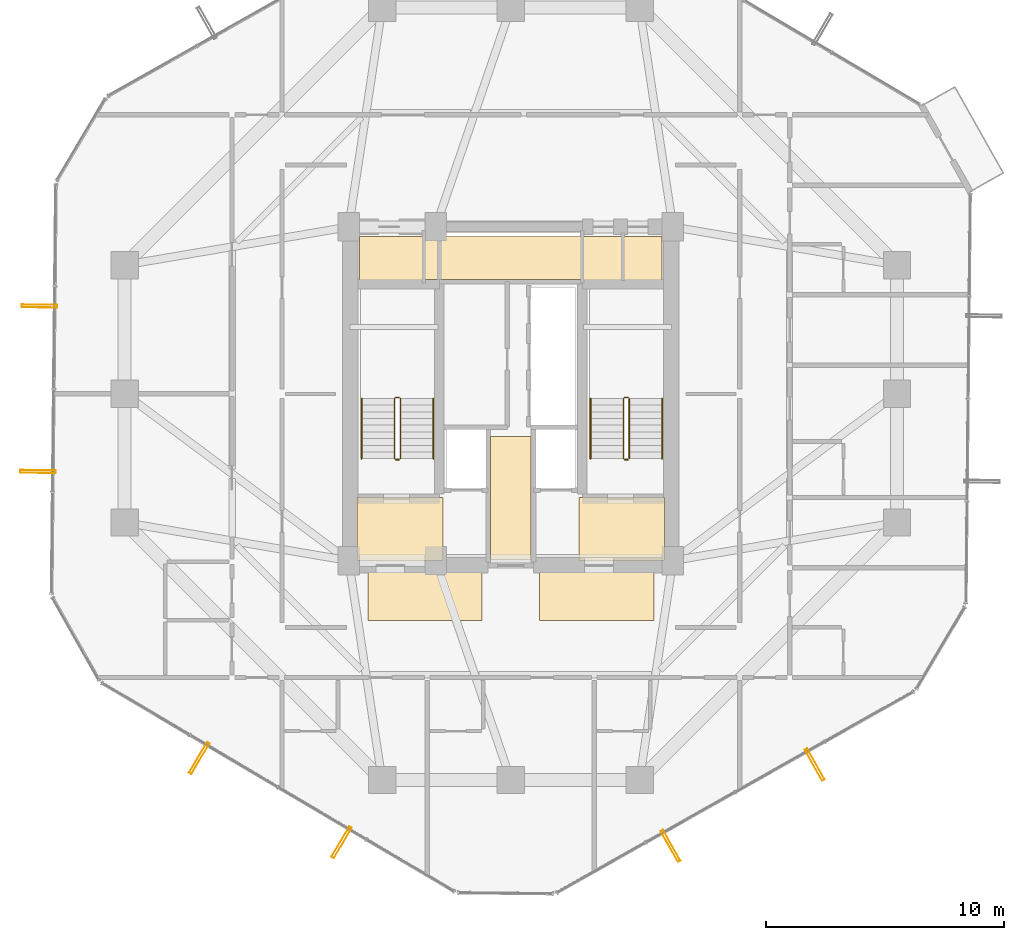
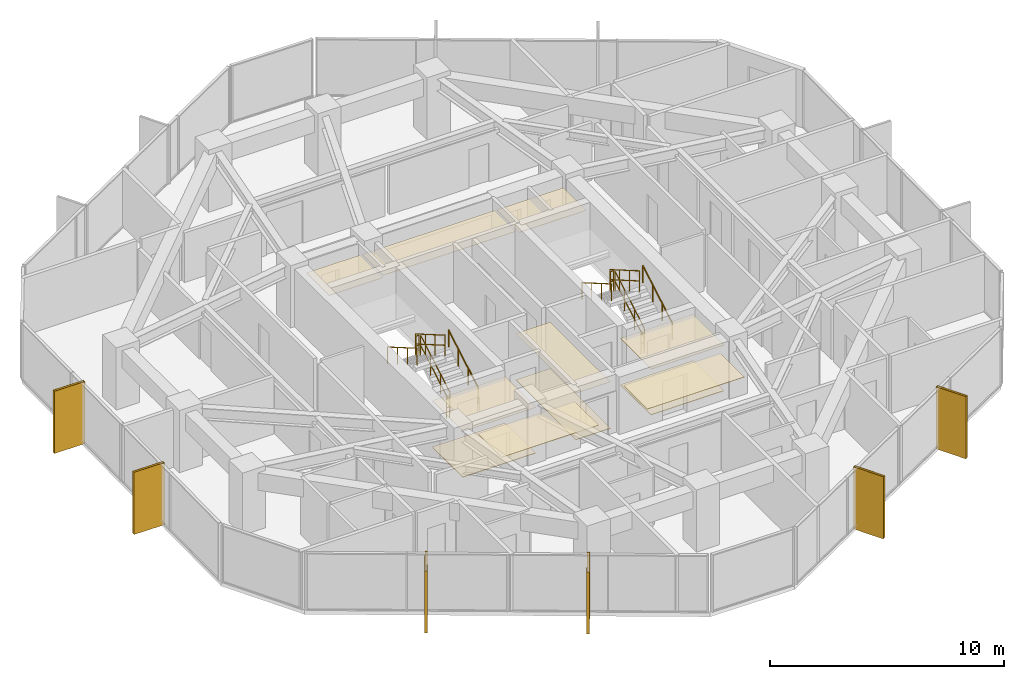
# One storey, part 29 of 30: 12 railings, 11 coverings, 6 shading devices.
"""IFC4 building model written with IfcOpenShell, lengths in metres."""

from ifc_helpers import new_model, si_unit, direction, frame, origin, origin_2d, place, context, subcontext, project, spatial, polyline, hollow_rectangle, circle, outline, extrude, material, layer, layer_set, material_profile, profile_set, type_object, element, save


model = new_model("IFC4")

# Units and contexts
model_context = context("Model", 3, precision=1e-05, world=origin(), true_north=direction((0.0, 1.0)))
body_context = subcontext(model_context, "Body", "Model", "MODEL_VIEW")
ifc_project = project(units=[si_unit("LENGTHUNIT", "METRE"), si_unit("AREAUNIT", "SQUARE_METRE"), si_unit("VOLUMEUNIT", "CUBIC_METRE"), si_unit("PLANEANGLEUNIT", "RADIAN"), si_unit("MASSUNIT", "GRAM", prefix="KILO")], contexts=[model_context])

# Site, building, storey
site_placement = place(None, origin())
site = spatial("IfcSite", under=ifc_project, at=site_placement, CompositionType="ELEMENT")
building_placement = place(site_placement, origin())
building = spatial("IfcBuilding", under=site, at=building_placement, Name="Veraguas Prism Commons", CompositionType="ELEMENT")
storey_placement = place(building_placement, frame((0.0, 0.0, 126.25)))
storey = spatial("IfcBuildingStorey", under=building, at=storey_placement, Name="L35", CompositionType="ELEMENT", Elevation=126.25)

# Shading devices
ifc_material_1 = material(Name="Anodised aluminium EN AW-6063 T6", Category="aluminium")
ifc_material_profile = material_profile(ifc_material_1, hollow_rectangle(XDim=0.1201171875, YDim=1.489990234375, WallThickness=0.006103515625, at=origin_2d()), Name="FIN120X1490X6")
ifc_profile_set = profile_set([ifc_material_profile], Name="Anodised aluminium EN AW-6063 T6")
shading_device_type = type_object("IfcShadingDeviceType", Name="Deep Pale-Metal Vertical Solar Fin 120x1490", PredefinedType="USERDEFINED", material=ifc_profile_set)
for number, where, z_axis, x_axis, name in (
    (1, (4.22998046875, 27.677978515625, -0.22998046875), (0.0, 0.0, 1.0), (-0.010475274583, -0.999945132806, 0.0), "Vertical Pale-Metal Solar Fin L35-F3A"),
    (2, (4.1572265625, 20.73681640625, -0.22998046875), (0.0, 0.0, 1.0), (-0.010475274583, -0.999945132806, 0.0), "Vertical Pale-Metal Solar Fin L35-F3B"),
    (3, (10.9296875, 8.7177734375, -0.22998046875), (0.0, 0.0, 1.0), (0.860742915448, -0.509039913471, 0.0), "Vertical Pale-Metal Solar Fin L35-F4A"),
    (4, (16.90478515625, 5.18408203125, -0.22998046875), (0.0, 0.0, 1.0), (0.860742915448, -0.509039913471, 0.0), "Vertical Pale-Metal Solar Fin L35-F4B"),
    (5, (30.69970703125, 5.03955078125, -0.22998046875), (0.0, 0.0, 1.0), (0.87121381112, 0.490903753615, 0.0), "Vertical Pale-Metal Solar Fin L35-F5A"),
    (6, (36.747314453125, 8.447265625, -0.22998046875), (0.0, 0.0, 1.0), (0.87121381112, 0.490903753615, 0.0), "Vertical Pale-Metal Solar Fin L35-F5B"),
):
    element("IfcShadingDevice", number, at=place(storey_placement, frame(where, z_axis=z_axis, x_axis=x_axis)), inside=storey, type_object=shading_device_type, Name=name, ObjectType="FIN", PredefinedType="USERDEFINED", context=body_context, shape_type="SweptSolid", body=[
        extrude(hollow_rectangle(XDim=0.1201171875, YDim=1.489990234375, WallThickness=0.006103515625, at=origin_2d()), origin(), (0.0, 0.0, 1.0), 3.25),
    ])

# Coverings
ifc_material_2 = material(Name="Acoustic gypsum board")
ifc_layer_1 = layer(ifc_material_2, 0.02490234375, Name="Perforated Acoustic Ceiling Tile 25")
ifc_layer_set_1 = layer_set([ifc_layer_1], Name="Acoustic gypsum board")
covering_type_1 = type_object("IfcCoveringType", Name="Perforated Acoustic Ceiling Tile 25", PredefinedType="USERDEFINED", material=ifc_layer_set_1)
covering_1_placement = place(storey_placement, frame((0.0, 0.0, 2.425048828125)))
element("IfcCovering", 7, at=covering_1_placement, inside=storey, type_object=covering_type_1, Name="East Lobby Acoustic Ceiling L35", ObjectType="ACOUSTIC CEILING", PredefinedType="USERDEFINED", context=body_context, shape_type="SweptSolid", body=[
    extrude(outline(polyline([(26.85009765625, 17.0), (30.449951171875, 17.0), (30.449951171875, 19.64990234375), (26.85009765625, 19.64990234375), (26.85009765625, 17.0)])), origin(), (0.0, 0.0, 1.0), 0.02490234375),
])
ifc_material_3 = material(Name="Terrazzo stone finish", Category="masonry")
ifc_layer_2 = layer(ifc_material_3, 0.030029296875, Name="Polished Terrazzo Floor Finish 30", Category="masonry")
ifc_layer_set_2 = layer_set([ifc_layer_2], Name="Terrazzo stone finish")
covering_type_2 = type_object("IfcCoveringType", Name="Polished Terrazzo Floor Finish 30", PredefinedType="FLOORING", material=ifc_layer_set_2)
covering_2_placement = place(storey_placement, origin())
element("IfcCovering", 8, at=covering_2_placement, inside=storey, type_object=covering_type_2, Name="Terrazzo Lobby Flooring L35", PredefinedType="FLOORING", context=body_context, shape_type="SweptSolid", body=[
    extrude(outline(polyline([(23.14990234375, 17.050048828125), (24.85009765625, 17.050048828125), (24.85009765625, 22.199951171875), (23.14990234375, 22.199951171875), (23.14990234375, 17.050048828125)])), origin(), (0.0, 0.0, 1.0), 0.030029296875),
])
covering_3_placement = place(storey_placement, origin())
element("IfcCovering", 9, at=covering_3_placement, inside=storey, type_object=covering_type_2, Name="West FF Lobby Terrazzo Flooring L35", PredefinedType="FLOORING", context=body_context, shape_type="SweptSolid", body=[
    extrude(outline(polyline([(17.550048828125, 17.050048828125), (21.14990234375, 17.050048828125), (21.14990234375, 19.64990234375), (17.550048828125, 19.64990234375), (17.550048828125, 17.050048828125)])), origin(), (0.0, 0.0, 1.0), 0.030029296875),
])
covering_4_placement = place(storey_placement, origin())
element("IfcCovering", 10, at=covering_4_placement, inside=storey, type_object=covering_type_2, Name="East FF Lobby Terrazzo Flooring L35", PredefinedType="FLOORING", context=body_context, shape_type="SweptSolid", body=[
    extrude(outline(polyline([(26.85009765625, 17.050048828125), (30.449951171875, 17.050048828125), (30.449951171875, 19.64990234375), (26.85009765625, 19.64990234375), (26.85009765625, 17.050048828125)])), origin(), (0.0, 0.0, 1.0), 0.030029296875),
])

# Railings
ifc_material_4 = material(Name="Stainless steel AISI 316", Category="steel")
railing_type_1 = type_object("IfcRailingType", Name="Stair and Ramp Stainless Handrail 900", PredefinedType="HANDRAIL", material=ifc_material_4)
railing_1_placement = place(storey_placement, frame((20.75, 21.280029296875, 0.16259765625)))
element("IfcRailing", 11, at=railing_1_placement, inside=storey, type_object=railing_type_1, Name="Stair Handrail ST-01 L35-1", PredefinedType="HANDRAIL", context=body_context, shape_type="SweptSolid", body=[
    extrude(circle(Radius=0.02392578125, at=origin_2d()), frame((0.0, 0.0, 0.8759765625), z_axis=(0.0, 0.864913338283, 0.50192122615), x_axis=(-1.0, 0.0, 0.0)), (0.0, 0.0, 1.0), 2.91357421875),
    extrude(circle(Radius=0.02099609375, at=origin_2d()), origin(), (0.0, 0.0, 1.0), 0.851806640625),
    extrude(circle(Radius=0.02099609375, at=origin_2d()), frame((0.0, 0.840087890625, 0.487548828125)), (0.0, 0.0, 1.0), 0.851806640625),
    extrude(circle(Radius=0.02099609375, at=origin_2d()), frame((0.0, 1.679931640625, 0.974853515625)), (0.0, 0.0, 1.0), 0.851806640625),
    extrude(circle(Radius=0.02099609375, at=origin_2d()), frame((0.0, 2.52001953125, 1.46240234375)), (0.0, 0.0, 1.0), 0.851806640625),
])
railing_2_placement = place(storey_placement, frame((17.739990234375, 23.800048828125, 1.78759765625)))
element("IfcRailing", 12, at=railing_2_placement, inside=storey, type_object=railing_type_1, Name="Stair Handrail ST-01 L35-2", PredefinedType="HANDRAIL", context=body_context, shape_type="SweptSolid", body=[
    extrude(circle(Radius=0.02392578125, at=origin_2d()), frame((0.0, 0.0, 0.8759765625), z_axis=(0.0, -0.864913338283, 0.50192122615), x_axis=(1.0, 0.0, 0.0)), (0.0, 0.0, 1.0), 2.91357421875),
    extrude(circle(Radius=0.02099609375, at=origin_2d()), origin(), (0.0, 0.0, 1.0), 0.851806640625),
    extrude(circle(Radius=0.02099609375, at=origin_2d()), frame((0.0, -0.840087890625, 0.487548828125)), (0.0, 0.0, 1.0), 0.851806640625),
    extrude(circle(Radius=0.02099609375, at=origin_2d()), frame((0.0, -1.679931640625, 0.974853515625)), (0.0, 0.0, 1.0), 0.851806640625),
    extrude(circle(Radius=0.02099609375, at=origin_2d()), frame((0.0, -2.52001953125, 1.46240234375)), (0.0, 0.0, 1.0), 0.851806640625),
])
railing_3_placement = place(storey_placement, frame((30.35009765625, 21.280029296875, 0.16259765625)))
element("IfcRailing", 13, at=railing_3_placement, inside=storey, type_object=railing_type_1, Name="Stair Handrail ST-02 L35-1", PredefinedType="HANDRAIL", context=body_context, shape_type="SweptSolid", body=[
    extrude(circle(Radius=0.02392578125, at=origin_2d()), frame((0.0, 0.0, 0.8759765625), z_axis=(0.0, 0.864913338283, 0.50192122615), x_axis=(-1.0, 0.0, 0.0)), (0.0, 0.0, 1.0), 2.91357421875),
    extrude(circle(Radius=0.02099609375, at=origin_2d()), origin(), (0.0, 0.0, 1.0), 0.851806640625),
    extrude(circle(Radius=0.02099609375, at=origin_2d()), frame((0.0, 0.840087890625, 0.487548828125)), (0.0, 0.0, 1.0), 0.851806640625),
    extrude(circle(Radius=0.02099609375, at=origin_2d()), frame((0.0, 1.679931640625, 0.974853515625)), (0.0, 0.0, 1.0), 0.851806640625),
    extrude(circle(Radius=0.02099609375, at=origin_2d()), frame((0.0, 2.52001953125, 1.46240234375)), (0.0, 0.0, 1.0), 0.851806640625),
])
railing_4_placement = place(storey_placement, frame((27.340087890625, 23.800048828125, 1.78759765625)))
element("IfcRailing", 14, at=railing_4_placement, inside=storey, type_object=railing_type_1, Name="Stair Handrail ST-02 L35-2", PredefinedType="HANDRAIL", context=body_context, shape_type="SweptSolid", body=[
    extrude(circle(Radius=0.02392578125, at=origin_2d()), frame((0.0, 0.0, 0.8759765625), z_axis=(0.0, -0.864913338283, 0.50192122615), x_axis=(1.0, 0.0, 0.0)), (0.0, 0.0, 1.0), 2.91357421875),
    extrude(circle(Radius=0.02099609375, at=origin_2d()), origin(), (0.0, 0.0, 1.0), 0.851806640625),
    extrude(circle(Radius=0.02099609375, at=origin_2d()), frame((0.0, -0.840087890625, 0.487548828125)), (0.0, 0.0, 1.0), 0.851806640625),
    extrude(circle(Radius=0.02099609375, at=origin_2d()), frame((0.0, -1.679931640625, 0.974853515625)), (0.0, 0.0, 1.0), 0.851806640625),
    extrude(circle(Radius=0.02099609375, at=origin_2d()), frame((0.0, -2.52001953125, 1.46240234375)), (0.0, 0.0, 1.0), 0.851806640625),
])
railing_type_2 = type_object("IfcRailingType", Name="Stairwell Safety Guardrail 1100", PredefinedType="GUARDRAIL", material=ifc_material_4)
railing_5_placement = place(storey_placement, frame((19.3701171875, 21.280029296875, 0.16259765625)))
element("IfcRailing", 15, at=railing_5_placement, inside=storey, type_object=railing_type_2, Name="Stair Guard ST-01 L35-1", PredefinedType="GUARDRAIL", context=body_context, shape_type="SweptSolid", body=[
    extrude(circle(Radius=0.02392578125, at=origin_2d()), frame((0.0, 0.0, 1.076171875), z_axis=(0.0, 0.864913338283, 0.50192122615), x_axis=(-1.0, 0.0, 0.0)), (0.0, 0.0, 1.0), 2.91357421875),
    extrude(circle(Radius=0.02392578125, at=origin_2d()), frame((0.0, 0.0, 0.550048828125), z_axis=(0.0, 0.864913338283, 0.50192122615), x_axis=(-1.0, 0.0, 0.0)), (0.0, 0.0, 1.0), 2.91357421875),
    extrude(circle(Radius=0.02099609375, at=origin_2d()), origin(), (0.0, 0.0, 1.0), 1.052001953125),
    extrude(circle(Radius=0.02099609375, at=origin_2d()), frame((0.0, 0.840087890625, 0.487548828125)), (0.0, 0.0, 1.0), 1.052001953125),
    extrude(circle(Radius=0.02099609375, at=origin_2d()), frame((0.0, 1.679931640625, 0.974853515625)), (0.0, 0.0, 1.0), 1.052001953125),
    extrude(circle(Radius=0.02099609375, at=origin_2d()), frame((0.0, 2.52001953125, 1.46240234375)), (0.0, 0.0, 1.0), 1.052001953125),
])
railing_6_placement = place(storey_placement, frame((19.320068359375, 23.85009765625, 1.625)))
element("IfcRailing", 16, at=railing_6_placement, inside=storey, type_object=railing_type_2, Name="Stair Guard ST-01 L35-2", PredefinedType="GUARDRAIL", context=body_context, shape_type="SweptSolid", body=[
    extrude(circle(Radius=0.02392578125, at=origin_2d()), frame((0.0, 0.0, 1.076171875), z_axis=(-1.0, 0.0, 0.0), x_axis=(0.0, -1.0, 0.0)), (0.0, 0.0, 1.0), 0.150146484375),
    extrude(circle(Radius=0.02392578125, at=origin_2d()), frame((0.0, 0.0, 0.550048828125), z_axis=(-1.0, 0.0, 0.0), x_axis=(0.0, -1.0, 0.0)), (0.0, 0.0, 1.0), 0.150146484375),
    extrude(circle(Radius=0.02099609375, at=origin_2d()), origin(), (0.0, 0.0, 1.0), 1.052001953125),
    extrude(circle(Radius=0.02099609375, at=origin_2d()), frame((-0.150146484375, 0.0, 0.0)), (0.0, 0.0, 1.0), 1.052001953125),
])
railing_7_placement = place(storey_placement, frame((19.1201171875, 23.800048828125, 1.78759765625)))
element("IfcRailing", 17, at=railing_7_placement, inside=storey, type_object=railing_type_2, Name="Stair Guard ST-01 L35-3", PredefinedType="GUARDRAIL", context=body_context, shape_type="SweptSolid", body=[
    extrude(circle(Radius=0.02392578125, at=origin_2d()), frame((0.0, 0.0, 1.076171875), z_axis=(0.0, -0.864913338283, 0.50192122615), x_axis=(1.0, 0.0, 0.0)), (0.0, 0.0, 1.0), 2.91357421875),
    extrude(circle(Radius=0.02392578125, at=origin_2d()), frame((0.0, 0.0, 0.550048828125), z_axis=(0.0, -0.864913338283, 0.50192122615), x_axis=(1.0, 0.0, 0.0)), (0.0, 0.0, 1.0), 2.91357421875),
    extrude(circle(Radius=0.02099609375, at=origin_2d()), origin(), (0.0, 0.0, 1.0), 1.052001953125),
    extrude(circle(Radius=0.02099609375, at=origin_2d()), frame((0.0, -0.840087890625, 0.487548828125)), (0.0, 0.0, 1.0), 1.052001953125),
    extrude(circle(Radius=0.02099609375, at=origin_2d()), frame((0.0, -1.679931640625, 0.974853515625)), (0.0, 0.0, 1.0), 1.052001953125),
    extrude(circle(Radius=0.02099609375, at=origin_2d()), frame((0.0, -2.52001953125, 1.46240234375)), (0.0, 0.0, 1.0), 1.052001953125),
])
railing_8_placement = place(storey_placement, frame((19.320068359375, 21.22998046875, 0.0)))
element("IfcRailing", 18, at=railing_8_placement, inside=storey, type_object=railing_type_2, Name="Stair Guard ST-01 L35-4", PredefinedType="GUARDRAIL", context=body_context, shape_type="SweptSolid", body=[
    extrude(circle(Radius=0.02392578125, at=origin_2d()), frame((0.0, 0.0, 1.076171875), z_axis=(-1.0, 0.0, 0.0), x_axis=(0.0, -1.0, 0.0)), (0.0, 0.0, 1.0), 0.150146484375),
    extrude(circle(Radius=0.02392578125, at=origin_2d()), frame((0.0, 0.0, 0.550048828125), z_axis=(-1.0, 0.0, 0.0), x_axis=(0.0, -1.0, 0.0)), (0.0, 0.0, 1.0), 0.150146484375),
    extrude(circle(Radius=0.02099609375, at=origin_2d()), origin(), (0.0, 0.0, 1.0), 1.052001953125),
    extrude(circle(Radius=0.02099609375, at=origin_2d()), frame((-0.150146484375, 0.0, 0.0)), (0.0, 0.0, 1.0), 1.052001953125),
])
railing_9_placement = place(storey_placement, frame((28.969970703125, 21.280029296875, 0.16259765625)))
element("IfcRailing", 19, at=railing_9_placement, inside=storey, type_object=railing_type_2, Name="Stair Guard ST-02 L35-1", PredefinedType="GUARDRAIL", context=body_context, shape_type="SweptSolid", body=[
    extrude(circle(Radius=0.02392578125, at=origin_2d()), frame((0.0, 0.0, 1.076171875), z_axis=(0.0, 0.864913338283, 0.50192122615), x_axis=(-1.0, 0.0, 0.0)), (0.0, 0.0, 1.0), 2.91357421875),
    extrude(circle(Radius=0.02392578125, at=origin_2d()), frame((0.0, 0.0, 0.550048828125), z_axis=(0.0, 0.864913338283, 0.50192122615), x_axis=(-1.0, 0.0, 0.0)), (0.0, 0.0, 1.0), 2.91357421875),
    extrude(circle(Radius=0.02099609375, at=origin_2d()), origin(), (0.0, 0.0, 1.0), 1.052001953125),
    extrude(circle(Radius=0.02099609375, at=origin_2d()), frame((0.0, 0.840087890625, 0.487548828125)), (0.0, 0.0, 1.0), 1.052001953125),
    extrude(circle(Radius=0.02099609375, at=origin_2d()), frame((0.0, 1.679931640625, 0.974853515625)), (0.0, 0.0, 1.0), 1.052001953125),
    extrude(circle(Radius=0.02099609375, at=origin_2d()), frame((0.0, 2.52001953125, 1.46240234375)), (0.0, 0.0, 1.0), 1.052001953125),
])
railing_10_placement = place(storey_placement, frame((28.919921875, 23.85009765625, 1.625)))
element("IfcRailing", 20, at=railing_10_placement, inside=storey, type_object=railing_type_2, Name="Stair Guard ST-02 L35-2", PredefinedType="GUARDRAIL", context=body_context, shape_type="SweptSolid", body=[
    extrude(circle(Radius=0.02392578125, at=origin_2d()), frame((0.0, 0.0, 1.076171875), z_axis=(-1.0, 0.0, 0.0), x_axis=(0.0, -1.0, 0.0)), (0.0, 0.0, 1.0), 0.14990234375),
    extrude(circle(Radius=0.02392578125, at=origin_2d()), frame((0.0, 0.0, 0.550048828125), z_axis=(-1.0, 0.0, 0.0), x_axis=(0.0, -1.0, 0.0)), (0.0, 0.0, 1.0), 0.14990234375),
    extrude(circle(Radius=0.02099609375, at=origin_2d()), origin(), (0.0, 0.0, 1.0), 1.052001953125),
    extrude(circle(Radius=0.02099609375, at=origin_2d()), frame((-0.14990234375, 0.0, 0.0)), (0.0, 0.0, 1.0), 1.052001953125),
])
railing_11_placement = place(storey_placement, frame((28.719970703125, 23.800048828125, 1.78759765625)))
element("IfcRailing", 21, at=railing_11_placement, inside=storey, type_object=railing_type_2, Name="Stair Guard ST-02 L35-3", PredefinedType="GUARDRAIL", context=body_context, shape_type="SweptSolid", body=[
    extrude(circle(Radius=0.02392578125, at=origin_2d()), frame((0.0, 0.0, 1.076171875), z_axis=(0.0, -0.864913338283, 0.50192122615), x_axis=(1.0, 0.0, 0.0)), (0.0, 0.0, 1.0), 2.91357421875),
    extrude(circle(Radius=0.02392578125, at=origin_2d()), frame((0.0, 0.0, 0.550048828125), z_axis=(0.0, -0.864913338283, 0.50192122615), x_axis=(1.0, 0.0, 0.0)), (0.0, 0.0, 1.0), 2.91357421875),
    extrude(circle(Radius=0.02099609375, at=origin_2d()), origin(), (0.0, 0.0, 1.0), 1.052001953125),
    extrude(circle(Radius=0.02099609375, at=origin_2d()), frame((0.0, -0.840087890625, 0.487548828125)), (0.0, 0.0, 1.0), 1.052001953125),
    extrude(circle(Radius=0.02099609375, at=origin_2d()), frame((0.0, -1.679931640625, 0.974853515625)), (0.0, 0.0, 1.0), 1.052001953125),
    extrude(circle(Radius=0.02099609375, at=origin_2d()), frame((0.0, -2.52001953125, 1.46240234375)), (0.0, 0.0, 1.0), 1.052001953125),
])
railing_12_placement = place(storey_placement, frame((28.919921875, 21.22998046875, 0.0)))
element("IfcRailing", 22, at=railing_12_placement, inside=storey, type_object=railing_type_2, Name="Stair Guard ST-02 L35-4", PredefinedType="GUARDRAIL", context=body_context, shape_type="SweptSolid", body=[
    extrude(circle(Radius=0.02392578125, at=origin_2d()), frame((0.0, 0.0, 1.076171875), z_axis=(-1.0, 0.0, 0.0), x_axis=(0.0, -1.0, 0.0)), (0.0, 0.0, 1.0), 0.14990234375),
    extrude(circle(Radius=0.02392578125, at=origin_2d()), frame((0.0, 0.0, 0.550048828125), z_axis=(-1.0, 0.0, 0.0), x_axis=(0.0, -1.0, 0.0)), (0.0, 0.0, 1.0), 0.14990234375),
    extrude(circle(Radius=0.02099609375, at=origin_2d()), origin(), (0.0, 0.0, 1.0), 1.052001953125),
    extrude(circle(Radius=0.02099609375, at=origin_2d()), frame((-0.14990234375, 0.0, 0.0)), (0.0, 0.0, 1.0), 1.052001953125),
])

# Coverings
ifc_layer_3 = layer(ifc_material_2, 0.02001953125, Name="Suspended Gypsum Ceiling 20")
ifc_layer_set_3 = layer_set([ifc_layer_3], Name="Acoustic gypsum board")
covering_type_3 = type_object("IfcCoveringType", Name="Suspended Gypsum Ceiling 20", PredefinedType="CEILING", material=ifc_layer_set_3)
covering_5_placement = place(storey_placement, frame((0.0, 0.0, 2.429931640625)))
element("IfcCovering", 23, at=covering_5_placement, inside=storey, type_object=covering_type_3, Name="West Lobby Suspended Gypsum Ceiling L35", PredefinedType="CEILING", context=body_context, shape_type="SweptSolid", body=[
    extrude(outline(polyline([(17.550048828125, 17.0), (21.14990234375, 17.0), (21.14990234375, 19.64990234375), (17.550048828125, 19.64990234375), (17.550048828125, 17.0)])), origin(), (0.0, 0.0, 1.0), 0.02001953125),
])
covering_6_placement = place(storey_placement, frame((0.0, 0.0, 2.429931640625)))
element("IfcCovering", 24, at=covering_6_placement, inside=storey, type_object=covering_type_3, Name="Core Lobby Acoustic Ceiling L35-1", PredefinedType="CEILING", context=body_context, shape_type="SweptSolid", body=[
    extrude(outline(polyline([(18.0, 14.5), (22.800048828125, 14.5), (22.800048828125, 16.550048828125), (18.0, 16.550048828125), (18.0, 14.5)])), origin(), (0.0, 0.0, 1.0), 0.02001953125),
])
covering_7_placement = place(storey_placement, frame((0.0, 0.0, 2.429931640625)))
element("IfcCovering", 25, at=covering_7_placement, inside=storey, type_object=covering_type_3, Name="Core Lobby Acoustic Ceiling L35-2", PredefinedType="CEILING", context=body_context, shape_type="SweptSolid", body=[
    extrude(outline(polyline([(25.199951171875, 14.5), (30.0, 14.5), (30.0, 16.550048828125), (25.199951171875, 16.550048828125), (25.199951171875, 14.5)])), origin(), (0.0, 0.0, 1.0), 0.02001953125),
])
covering_8_placement = place(storey_placement, frame((0.0, 0.0, 2.429931640625)))
element("IfcCovering", 26, at=covering_8_placement, inside=storey, type_object=covering_type_3, Name="Core Lobby Acoustic Ceiling L35-3", PredefinedType="CEILING", context=body_context, shape_type="SweptSolid", body=[
    extrude(outline(polyline([(23.14990234375, 17.050048828125), (24.85009765625, 17.050048828125), (24.85009765625, 22.199951171875), (23.14990234375, 22.199951171875), (23.14990234375, 17.050048828125)])), origin(), (0.0, 0.0, 1.0), 0.02001953125),
])
covering_9_placement = place(storey_placement, frame((0.0, 0.0, 2.429931640625)))
element("IfcCovering", 27, at=covering_9_placement, inside=storey, type_object=covering_type_3, Name="Core Lobby Acoustic Ceiling L35-4", PredefinedType="CEILING", context=body_context, shape_type="SweptSolid", body=[
    extrude(outline(polyline([(17.64990234375, 28.64990234375), (20.300048828125, 28.64990234375), (20.300048828125, 30.60009765625), (17.64990234375, 30.60009765625), (17.64990234375, 28.64990234375)])), origin(), (0.0, 0.0, 1.0), 0.02001953125),
])
covering_10_placement = place(storey_placement, frame((0.0, 0.0, 2.429931640625)))
element("IfcCovering", 28, at=covering_10_placement, inside=storey, type_object=covering_type_3, Name="Core Lobby Acoustic Ceiling L35-5", PredefinedType="CEILING", context=body_context, shape_type="SweptSolid", body=[
    extrude(outline(polyline([(27.050048828125, 28.64990234375), (30.35009765625, 28.64990234375), (30.35009765625, 30.60009765625), (27.050048828125, 30.60009765625), (27.050048828125, 28.64990234375)])), origin(), (0.0, 0.0, 1.0), 0.02001953125),
])
covering_11_placement = place(storey_placement, frame((0.0, 0.0, 2.429931640625)))
element("IfcCovering", 29, at=covering_11_placement, inside=storey, type_object=covering_type_3, Name="Core Lobby Acoustic Ceiling L35-6", PredefinedType="CEILING", context=body_context, shape_type="SweptSolid", body=[
    extrude(outline(polyline([(20.39990234375, 28.800048828125), (26.949951171875, 28.800048828125), (26.949951171875, 30.60009765625), (20.39990234375, 30.60009765625), (20.39990234375, 28.800048828125)])), origin(), (0.0, 0.0, 1.0), 0.02001953125),
])

save(model, "model.ifc")
